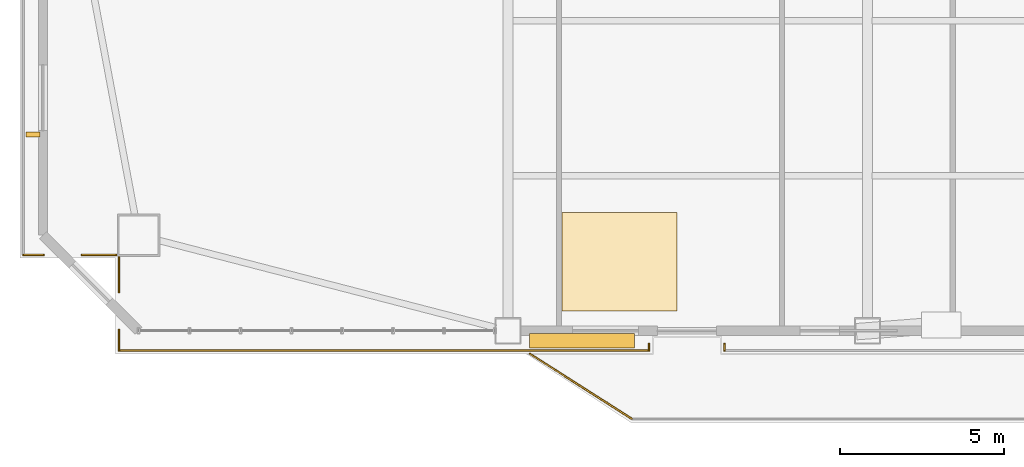
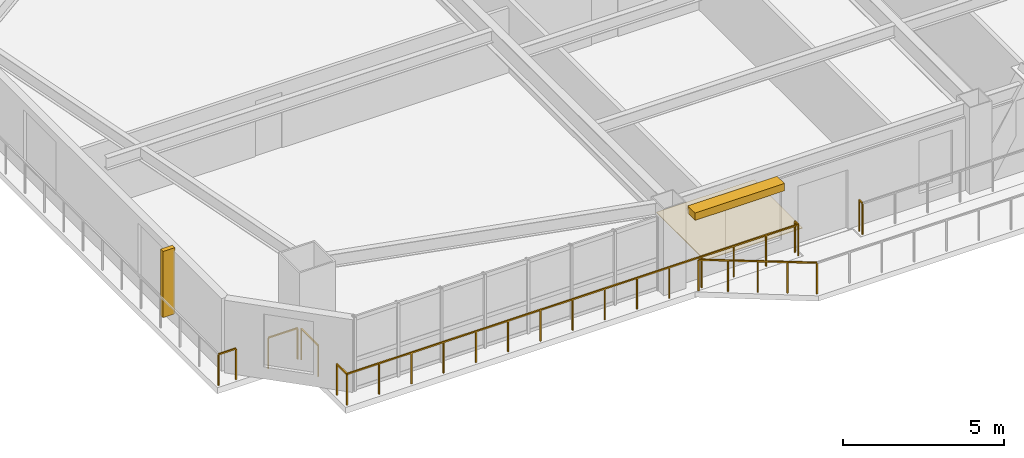
# One storey, part 12 of 16: 8 railings, 2 shading devices, 1 covering.
"""IFC4 building model written with IfcOpenShell, lengths in metres."""

import ifcopenshell
import ifcopenshell.guid

model = None  # the IFC model being written
_history = None  # IfcOwnerHistory: only IFC2X3 demands one
_inside = {}  # id of a spatial element -> (the spatial element, [elements in it])
_under = {}  # id of a project, library or spatial element -> (it, [spatial elements below it])
_declared = {}  # id of a project -> (the project, [libraries it declares])
_typed = {}  # id of a type object -> (the type object, [elements of that type])
_made_of = {}  # id of a material, layer set ... -> (it, [elements and type objects made of it])


def new_model(schema):
    """Start an empty IFC model of exactly this schema.

    Asked for "IFC4X3", IfcOpenShell would pick the latest addendum, in which some entities
    have other attributes; the version numbers below select the first issue.
    IFC2X3 requires an IfcOwnerHistory on every rooted entity: one is made here for all.
    """
    global model, _history
    if schema == "IFC4X3":
        model = ifcopenshell.file(schema_version=(4, 3, 0, 0))
    else:
        model = ifcopenshell.file(schema=schema)
    _inside.clear()
    _under.clear()
    _declared.clear()
    _typed.clear()
    _made_of.clear()
    _history = None
    if model.schema == "IFC2X3":
        org = make("IfcOrganization", Name="unknown")
        user = make(
            "IfcPersonAndOrganization",
            ThePerson=make("IfcPerson", FamilyName="unknown"),
            TheOrganization=org,
        )
        app = make(
            "IfcApplication",
            ApplicationDeveloper=org,
            Version="unknown",
            ApplicationFullName="unknown",
            ApplicationIdentifier="unknown",
        )
        _history = make(
            "IfcOwnerHistory",
            OwningUser=user,
            OwningApplication=app,
            ChangeAction="ADDED",
            CreationDate=0,
        )
    return model


def make(cls, **values):
    """One entity of the class cls with the attributes given. An attribute that is None is left unset."""
    return model.create_entity(
        cls, **{name: value for name, value in values.items() if value is not None}
    )


def rooted(cls, **values):
    """An entity with a GlobalId (a new one), such as an element, a storey or a relation."""
    return make(cls, GlobalId=ifcopenshell.guid.new(), OwnerHistory=_history, **values)


def si_unit(unit_type, name, prefix=None):
    """IfcSIUnit, for example si_unit("LENGTHUNIT", "METRE", prefix="MILLI")."""
    return make("IfcSIUnit", UnitType=unit_type, Prefix=prefix, Name=name)


def assignment(units):
    """IfcUnitAssignment: the units of a project."""
    return None if units is None else make("IfcUnitAssignment", Units=units)


def point(xyz):
    """IfcCartesianPoint."""
    return None if xyz is None else make("IfcCartesianPoint", Coordinates=xyz)


def direction(xyz):
    """IfcDirection."""
    return None if xyz is None else make("IfcDirection", DirectionRatios=xyz)


def frame(location, z_axis=None, x_axis=None):
    """IfcAxis2Placement3D, a coordinate frame: its origin and axes. An axis left out is left unset."""
    return make(
        "IfcAxis2Placement3D",
        Location=point(location),
        Axis=direction(z_axis),
        RefDirection=direction(x_axis),
    )


def frame_2d(location, x_axis=None):
    """IfcAxis2Placement2D, a coordinate frame in the plane: its origin and x axis."""
    return make(
        "IfcAxis2Placement2D", Location=point(location), RefDirection=direction(x_axis)
    )


def origin():
    """The frame at (0, 0, 0) with its axes left unset."""
    return frame((0.0, 0.0, 0.0))


def origin_2d():
    """The frame at (0, 0) in the plane with its x axis left unset."""
    return frame_2d((0.0, 0.0))


def place(relative_to, where):
    """IfcLocalPlacement: puts the frame where relative to a parent placement (None: the world)."""
    return make(
        "IfcLocalPlacement", PlacementRelTo=relative_to, RelativePlacement=where
    )


def context(
    kind, dimensions, precision=None, world=None, true_north=None, identifier=None
):
    """IfcGeometricRepresentationContext, for example the 3D "Model" context."""
    return make(
        "IfcGeometricRepresentationContext",
        ContextIdentifier=identifier,
        ContextType=kind,
        CoordinateSpaceDimension=dimensions,
        Precision=precision,
        WorldCoordinateSystem=world,
        TrueNorth=true_north,
    )


def subcontext(parent, identifier, kind, view, scale=None):
    """IfcGeometricRepresentationSubContext, for example "Body" below "Model"."""
    return make(
        "IfcGeometricRepresentationSubContext",
        ContextIdentifier=identifier,
        ContextType=kind,
        ParentContext=parent,
        TargetScale=scale,
        TargetView=view,
    )


def project(units=None, contexts=None):
    """IfcProject with its units and contexts."""
    return rooted(
        "IfcProject",
        Name="project",
        RepresentationContexts=contexts,
        UnitsInContext=assignment(units),
    )


def spatial(cls, under=None, at=None, **own):
    """A site, building, storey or space (cls), placed at a placement, below another one or the project."""
    s = rooted(cls, ObjectPlacement=at, **own)
    if under is not None:
        _under.setdefault(under.id(), (under, []))[1].append(s)
    return s


def polyline(points):
    """IfcPolyline through the points."""
    return make("IfcPolyline", Points=[point(p) for p in points])


def profile(cls, at=None, kind="AREA", **sizes):
    """A parametric profile (cls). Its sizes go by their IFC names, for example OverallWidth=200.0."""
    return make(cls, ProfileType=kind, Position=at, **sizes)


def rectangle(**sizes):
    """IfcRectangleProfileDef."""
    return profile("IfcRectangleProfileDef", **sizes)


def outline(outer, holes=None, kind="AREA"):
    """IfcArbitraryClosedProfileDef: a profile drawn as a closed curve; with holes, ...WithVoids."""
    if holes is None:
        return make("IfcArbitraryClosedProfileDef", ProfileType=kind, OuterCurve=outer)
    return make(
        "IfcArbitraryProfileDefWithVoids",
        ProfileType=kind,
        OuterCurve=outer,
        InnerCurves=holes,
    )


def extrude(swept, where, along, depth):
    """IfcExtrudedAreaSolid: the profile swept, set in the frame where, extruded along a direction by depth."""
    return make(
        "IfcExtrudedAreaSolid",
        SweptArea=swept,
        Position=where,
        ExtrudedDirection=direction(along),
        Depth=depth,
    )


def shape(context_of_items, identifier, shape_type, items):
    """IfcShapeRepresentation: the items that make up one representation, for example the "Body"."""
    return make(
        "IfcShapeRepresentation",
        ContextOfItems=context_of_items,
        RepresentationIdentifier=identifier,
        RepresentationType=shape_type,
        Items=items,
    )


def source(mapping_origin, context_of_items, identifier, shape_type, items):
    """IfcRepresentationMap: a shape defined once, which mapped items show again and again."""
    return make(
        "IfcRepresentationMap",
        MappingOrigin=mapping_origin,
        MappedRepresentation=shape(context_of_items, identifier, shape_type, items),
    )


def transform(
    local_origin,
    x_axis=None,
    y_axis=None,
    z_axis=None,
    scale=None,
    scale2=None,
    scale3=None,
    uniform=True,
):
    """IfcCartesianTransformationOperator3D, or its non-uniform kind. x_axis, y_axis, z_axis: its Axis1, 2, 3."""
    if uniform:
        return make(
            "IfcCartesianTransformationOperator3D",
            Axis1=direction(x_axis),
            Axis2=direction(y_axis),
            LocalOrigin=point(local_origin),
            Scale=scale,
            Axis3=direction(z_axis),
        )
    return make(
        "IfcCartesianTransformationOperator3DnonUniform",
        Axis1=direction(x_axis),
        Axis2=direction(y_axis),
        LocalOrigin=point(local_origin),
        Scale=scale,
        Axis3=direction(z_axis),
        Scale2=scale2,
        Scale3=scale3,
    )


def mapped(mapping_source, mapping_target):
    """IfcMappedItem: shows the shape of a source again, moved by a transform."""
    return make(
        "IfcMappedItem", MappingSource=mapping_source, MappingTarget=mapping_target
    )


def material(Name=None, Category=None):
    """IfcMaterial."""
    return make("IfcMaterial", Name=Name, Category=Category)


def layer(
    of_material, thickness, ventilated=None, Name=None, Category=None, Priority=None
):
    """IfcMaterialLayer: one layer of a wall or slab, of a material (None: an air gap)."""
    return make(
        "IfcMaterialLayer",
        Material=of_material,
        LayerThickness=thickness,
        IsVentilated=ventilated,
        Name=Name,
        Category=Category,
        Priority=Priority,
    )


def layer_set(layers, Name=None):
    """IfcMaterialLayerSet."""
    return make("IfcMaterialLayerSet", MaterialLayers=layers, LayerSetName=Name)


def made_of(thing, what):
    """Note that an element or type object is made of a material, layer set ...; save() writes the relation."""
    if what is not None:
        _made_of.setdefault(what.id(), (what, []))[1].append(thing)
    return thing


def type_object(cls, material=None, **own):
    """A type object (cls), such as IfcWallType, which elements share."""
    return made_of(rooted(cls, **own), material)


def element(
    cls,
    number,
    at=None,
    inside=None,
    cuts=None,
    type_object=None,
    material=None,
    context=None,
    identifier="Body",
    shape_type=None,
    held_by="IfcProductDefinitionShape",
    body=None,
    shapes=None,
    **own,
):
    """One element of the class cls, such as IfcWall. Its Tag is "e" and its number.

    at: its placement. inside: the storey or other place that contains it. cuts: it is an
    opening in that element (IfcRelVoidsElement). A single representation is given by context,
    identifier, shape_type and body (its items); several are given by shapes. held_by: the class
    of the entity that holds the representations. save() writes the other relations.
    """
    e = rooted(cls, Tag="e%d" % number, ObjectPlacement=at, **own)
    if body is not None:
        shapes = [shape(context, identifier, shape_type, body)]
    if shapes is not None:
        e.Representation = make(held_by, Representations=shapes)
    if inside is not None:
        _inside.setdefault(inside.id(), (inside, []))[1].append(e)
    if cuts is not None:
        rooted(
            "IfcRelVoidsElement", RelatingBuildingElement=cuts, RelatedOpeningElement=e
        )
    if type_object is not None:
        _typed.setdefault(type_object.id(), (type_object, []))[1].append(e)
    return made_of(e, material)


def aggregate(whole, parts):
    """IfcRelAggregates: a whole, such as a stair, and the parts it consists of."""
    return rooted("IfcRelAggregates", RelatingObject=whole, RelatedObjects=parts)


def save(model, path):
    """Write the relations noted so far, then the file.

    IfcRelAggregates (storeys below a building ...), IfcRelContainedInSpatialStructure (elements
    in a storey), IfcRelDefinesByType, IfcRelAssociatesMaterial and IfcRelDeclares: one each for
    every whole, place, type object, material and project.
    """
    for whole, parts in _under.values():
        aggregate(whole, parts)
    for where, things in _inside.values():
        rooted(
            "IfcRelContainedInSpatialStructure",
            RelatedElements=things,
            RelatingStructure=where,
        )
    for kind, things in _typed.values():
        rooted("IfcRelDefinesByType", RelatedObjects=things, RelatingType=kind)
    for what, things in _made_of.values():
        rooted("IfcRelAssociatesMaterial", RelatedObjects=things, RelatingMaterial=what)
    for by, libraries in _declared.values():
        rooted("IfcRelDeclares", RelatingContext=by, RelatedDefinitions=libraries)
    model.write(path)


model = new_model("IFC4")

# Units and contexts
model_context = context("Model", 3, precision=1e-05, world=origin(), true_north=direction((0.0, 1.0)))
body_context = subcontext(model_context, "Body", "Model", "MODEL_VIEW")
ifc_project = project(units=[si_unit("LENGTHUNIT", "METRE"), si_unit("AREAUNIT", "SQUARE_METRE"), si_unit("VOLUMEUNIT", "CUBIC_METRE"), si_unit("PLANEANGLEUNIT", "RADIAN"), si_unit("MASSUNIT", "GRAM", prefix="KILO")], contexts=[model_context])

# Site, building, storey
site_placement = place(None, origin())
site = spatial("IfcSite", under=ifc_project, at=site_placement, CompositionType="ELEMENT")
building_placement = place(site_placement, origin())
building = spatial("IfcBuilding", under=site, at=building_placement, Name="Giltprow Tower", CompositionType="ELEMENT")
storey_placement = place(building_placement, frame((0.0, 0.0, 159.699951171875)))
storey = spatial("IfcBuildingStorey", under=building, at=storey_placement, Name="L39", CompositionType="ELEMENT", Elevation=159.699951171875)

# Covering
ifc_material_1 = material(Name="Engineered oak", Category="wood")
ifc_layer = layer(ifc_material_1, 0.02490234375, Name="Engineered oak")
ifc_layer_set = layer_set([ifc_layer], Name="Engineered oak")
covering_type = type_object("IfcCoveringType", Name="COV-FLR-TIMBER", PredefinedType="FLOORING", material=ifc_layer_set)
covering_placement = place(storey_placement, origin())
element("IfcCovering", 1, at=covering_placement, inside=storey, type_object=covering_type, Name="L39 Engineered Oak Guestroom Flooring", PredefinedType="FLOORING", context=body_context, shape_type="SweptSolid", body=[
    extrude(outline(polyline([(21.5, 9.697998046875), (25.0, 9.697998046875), (25.0, 12.697998046875), (21.5, 12.697998046875), (21.5, 9.697998046875)])), origin(), (0.0, 0.0, 1.0), 0.025146484375),
])

# Railings
ifc_material_2 = material(Name="Anodized bronze", Category="metal")
railing_type = type_object("IfcRailingType", Name="RAIL-BALC-GUARD-1200", PredefinedType="BALUSTRADE", material=ifc_material_2)
railing_1_placement = place(storey_placement, frame((20.52001953125, 8.39794921875, 0.0)))
element("IfcRailing", 2, at=railing_1_placement, inside=storey, type_object=railing_type, Name="L39 Waterfront Balcony Balustrade Seg 1", PredefinedType="BALUSTRADE", context=body_context, shape_type="SweptSolid", body=[
    extrude(rectangle(XDim=0.048095703125, YDim=0.048095703125, at=origin_2d()), frame((0.0, 0.0, 1.17578125), z_axis=(0.84277487735, -0.538266203757, 0.0), x_axis=(0.538266203757, 0.84277487735, 0.0)), (0.0, 0.0, 1.0), 3.678466796875),
    extrude(rectangle(XDim=0.0419921875, YDim=0.0419921875, at=origin_2d()), origin(), (0.0, 0.0, 1.0), 1.15185546875),
    extrude(rectangle(XDim=0.0419921875, YDim=0.0419921875, at=origin_2d()), frame((0.77490234375, -0.4951171875, 0.0)), (0.0, 0.0, 1.0), 1.15185546875),
    extrude(rectangle(XDim=0.0419921875, YDim=0.0419921875, at=origin_2d()), frame((1.550048828125, -0.989990234375, 0.0)), (0.0, 0.0, 1.0), 1.15185546875),
    extrude(rectangle(XDim=0.0419921875, YDim=0.0419921875, at=origin_2d()), frame((2.3251953125, -1.48486328125, 0.0)), (0.0, 0.0, 1.0), 1.15185546875),
    extrude(rectangle(XDim=0.0419921875, YDim=0.0419921875, at=origin_2d()), frame((3.10009765625, -1.97998046875, 0.0)), (0.0, 0.0, 1.0), 1.15185546875),
])
railing_2_placement = place(storey_placement, frame((7.9970703125, 8.498046875, 0.0)))
element("IfcRailing", 3, at=railing_2_placement, inside=storey, type_object=railing_type, Name="L39 Corner Apron Edge Balustrade 1", PredefinedType="BALUSTRADE", context=body_context, shape_type="SweptSolid", body=[
    extrude(rectangle(XDim=0.048095703125, YDim=0.048095703125, at=origin_2d()), frame((0.0, 0.0, 1.17578125), z_axis=(0.0, 1.0, 0.0), x_axis=(-1.0, 0.0, 0.0)), (0.0, 0.0, 1.0), 0.619873046875),
    extrude(rectangle(XDim=0.0419921875, YDim=0.0419921875, at=origin_2d()), origin(), (0.0, 0.0, 1.0), 1.15185546875),
    extrude(rectangle(XDim=0.0419921875, YDim=0.0419921875, at=origin_2d()), frame((0.0, 0.619873046875, 0.0)), (0.0, 0.0, 1.0), 1.15185546875),
])
railing_3_placement = place(storey_placement, frame((7.9970703125, 10.278076171875, 0.0)))
element("IfcRailing", 4, at=railing_3_placement, inside=storey, type_object=railing_type, Name="L39 Corner Apron Edge Balustrade 2", PredefinedType="BALUSTRADE", context=body_context, shape_type="SweptSolid", body=[
    extrude(rectangle(XDim=0.048095703125, YDim=0.048095703125, at=origin_2d()), frame((0.0, 0.0, 1.17578125), z_axis=(0.0, 1.0, 0.0), x_axis=(-1.0, 0.0, 0.0)), (0.0, 0.0, 1.0), 1.0478515625),
    extrude(rectangle(XDim=0.0419921875, YDim=0.0419921875, at=origin_2d()), origin(), (0.0, 0.0, 1.0), 1.15185546875),
    extrude(rectangle(XDim=0.0419921875, YDim=0.0419921875, at=origin_2d()), frame((0.0, 1.0478515625, 0.0)), (0.0, 0.0, 1.0), 1.15185546875),
])
railing_4_placement = place(storey_placement, frame((7.912109375, 11.410888671875, 0.0)))
element("IfcRailing", 5, at=railing_4_placement, inside=storey, type_object=railing_type, Name="L39 Corner Apron Edge Balustrade 3", PredefinedType="BALUSTRADE", context=body_context, shape_type="SweptSolid", body=[
    extrude(rectangle(XDim=0.048095703125, YDim=0.048095703125, at=origin_2d()), frame((0.0, 0.0, 1.17578125), z_axis=(-1.0, 0.0, 0.0), x_axis=(0.0, -1.0, 0.0)), (0.0, 0.0, 1.0), 1.048095703125),
    extrude(rectangle(XDim=0.0419921875, YDim=0.0419921875, at=origin_2d()), origin(), (0.0, 0.0, 1.0), 1.15185546875),
    extrude(rectangle(XDim=0.0419921875, YDim=0.0419921875, at=origin_2d()), frame((-1.048095703125, 0.0, 0.0)), (0.0, 0.0, 1.0), 1.15185546875),
])
railing_5_placement = place(storey_placement, frame((5.7041015625, 11.410888671875, 0.0)))
element("IfcRailing", 6, at=railing_5_placement, inside=storey, type_object=railing_type, Name="L39 Corner Apron Edge Balustrade 4", PredefinedType="BALUSTRADE", context=body_context, shape_type="SweptSolid", body=[
    extrude(rectangle(XDim=0.048095703125, YDim=0.048095703125, at=origin_2d()), frame((0.0, 0.0, 1.17578125), z_axis=(-1.0, 0.0, 0.0), x_axis=(0.0, -1.0, 0.0)), (0.0, 0.0, 1.0), 0.6201171875),
    extrude(rectangle(XDim=0.0419921875, YDim=0.0419921875, at=origin_2d()), origin(), (0.0, 0.0, 1.0), 1.15185546875),
    extrude(rectangle(XDim=0.0419921875, YDim=0.0419921875, at=origin_2d()), frame((-0.6201171875, 0.0, 0.0)), (0.0, 0.0, 1.0), 1.15185546875),
])
railing_6_placement = place(storey_placement, frame((26.449951171875, 8.498046875, 0.0)))
element("IfcRailing", 7, at=railing_6_placement, inside=storey, type_object=railing_type, Name="L39 Corner Apron Edge Balustrade 23", PredefinedType="BALUSTRADE", context=body_context, shape_type="SweptSolid", body=[
    extrude(rectangle(XDim=0.048095703125, YDim=0.048095703125, at=origin_2d()), frame((0.0, 0.0, 1.17578125), z_axis=(0.0, 1.0, 0.0), x_axis=(-1.0, 0.0, 0.0)), (0.0, 0.0, 1.0), 0.199951171875),
    extrude(rectangle(XDim=0.0419921875, YDim=0.0419921875, at=origin_2d()), origin(), (0.0, 0.0, 1.0), 1.15185546875),
    extrude(rectangle(XDim=0.0419921875, YDim=0.0419921875, at=origin_2d()), frame((0.0, 0.199951171875, 0.0)), (0.0, 0.0, 1.0), 1.15185546875),
])
railing_7_placement = place(storey_placement, frame((24.14990234375, 8.697998046875, 0.0)))
element("IfcRailing", 8, at=railing_7_placement, inside=storey, type_object=railing_type, Name="L39 Corner Apron Edge Balustrade 24", PredefinedType="BALUSTRADE", context=body_context, shape_type="SweptSolid", body=[
    extrude(rectangle(XDim=0.048095703125, YDim=0.048095703125, at=origin_2d()), frame((0.0, 0.0, 1.17578125), z_axis=(0.0, -1.0, 0.0), x_axis=(1.0, 0.0, 0.0)), (0.0, 0.0, 1.0), 0.199951171875),
    extrude(rectangle(XDim=0.0419921875, YDim=0.0419921875, at=origin_2d()), origin(), (0.0, 0.0, 1.0), 1.15185546875),
    extrude(rectangle(XDim=0.0419921875, YDim=0.0419921875, at=origin_2d()), frame((0.0, -0.199951171875, 0.0)), (0.0, 0.0, 1.0), 1.15185546875),
])
railing_8_placement = place(storey_placement, frame((24.14990234375, 8.498046875, 0.0)))
element("IfcRailing", 9, at=railing_8_placement, inside=storey, type_object=railing_type, Name="L39 Corner Apron Edge Balustrade 25", PredefinedType="BALUSTRADE", context=body_context, shape_type="SweptSolid", body=[
    extrude(rectangle(XDim=0.048095703125, YDim=0.048095703125, at=origin_2d()), frame((0.0, 0.0, 1.17578125), z_axis=(-1.0, 0.0, 0.0), x_axis=(0.0, -1.0, 0.0)), (0.0, 0.0, 1.0), 16.15283203125),
    extrude(rectangle(XDim=0.0419921875, YDim=0.0419921875, at=origin_2d()), origin(), (0.0, 0.0, 1.0), 1.15185546875),
    extrude(rectangle(XDim=0.0419921875, YDim=0.0419921875, at=origin_2d()), frame((-1.15380859375, 0.0, 0.0)), (0.0, 0.0, 1.0), 1.15185546875),
    extrude(rectangle(XDim=0.0419921875, YDim=0.0419921875, at=origin_2d()), frame((-2.3076171875, 0.0, 0.0)), (0.0, 0.0, 1.0), 1.15185546875),
    extrude(rectangle(XDim=0.0419921875, YDim=0.0419921875, at=origin_2d()), frame((-3.46142578125, 0.0, 0.0)), (0.0, 0.0, 1.0), 1.15185546875),
    extrude(rectangle(XDim=0.0419921875, YDim=0.0419921875, at=origin_2d()), frame((-4.614990234375, 0.0, 0.0)), (0.0, 0.0, 1.0), 1.15185546875),
    extrude(rectangle(XDim=0.0419921875, YDim=0.0419921875, at=origin_2d()), frame((-5.768798828125, 0.0, 0.0)), (0.0, 0.0, 1.0), 1.15185546875),
    extrude(rectangle(XDim=0.0419921875, YDim=0.0419921875, at=origin_2d()), frame((-6.922607421875, 0.0, 0.0)), (0.0, 0.0, 1.0), 1.15185546875),
    extrude(rectangle(XDim=0.0419921875, YDim=0.0419921875, at=origin_2d()), frame((-8.076416015625, 0.0, 0.0)), (0.0, 0.0, 1.0), 1.15185546875),
    extrude(rectangle(XDim=0.0419921875, YDim=0.0419921875, at=origin_2d()), frame((-9.230224609375, 0.0, 0.0)), (0.0, 0.0, 1.0), 1.15185546875),
    extrude(rectangle(XDim=0.0419921875, YDim=0.0419921875, at=origin_2d()), frame((-10.384033203125, 0.0, 0.0)), (0.0, 0.0, 1.0), 1.15185546875),
    extrude(rectangle(XDim=0.0419921875, YDim=0.0419921875, at=origin_2d()), frame((-11.537841796875, 0.0, 0.0)), (0.0, 0.0, 1.0), 1.15185546875),
    extrude(rectangle(XDim=0.0419921875, YDim=0.0419921875, at=origin_2d()), frame((-12.69140625, 0.0, 0.0)), (0.0, 0.0, 1.0), 1.15185546875),
    extrude(rectangle(XDim=0.0419921875, YDim=0.0419921875, at=origin_2d()), frame((-13.84521484375, 0.0, 0.0)), (0.0, 0.0, 1.0), 1.15185546875),
    extrude(rectangle(XDim=0.0419921875, YDim=0.0419921875, at=origin_2d()), frame((-14.9990234375, 0.0, 0.0)), (0.0, 0.0, 1.0), 1.15185546875),
    extrude(rectangle(XDim=0.0419921875, YDim=0.0419921875, at=origin_2d()), frame((-16.15283203125, 0.0, 0.0)), (0.0, 0.0, 1.0), 1.15185546875),
])

# Shading devices
shading_device_type_1 = type_object("IfcShadingDeviceType", Name="SHD-FIN-420", PredefinedType="USERDEFINED", material=ifc_material_2)
shared_shape_1 = source(origin(), body_context, "Body", "SweptSolid", [
    extrude(rectangle(XDim=0.419921875, YDim=0.159912109375, at=origin_2d()), origin(), (0.0, 0.0, 1.0), 2.5),
])
shading_device_1_placement = place(storey_placement, frame((5.384033203125, 15.080078125, 0.35009765625), z_axis=(0.0, 0.0, 1.0), x_axis=(1.0, 0.0, 0.0)))
element("IfcShadingDevice", 10, at=shading_device_1_placement, inside=storey, type_object=shading_device_type_1, Name="L39 W Bronze Vertical Fin 1-1", ObjectType="FIN", PredefinedType="USERDEFINED", context=body_context, shape_type="MappedRepresentation", body=[
    mapped(shared_shape_1, transform((0.0, 0.0, 0.0), x_axis=(1.0, 0.0, 0.0), y_axis=(0.0, 1.0, 0.0), z_axis=(0.0, 0.0, 1.0), scale=1.0)),
])
shading_device_type_2 = type_object("IfcShadingDeviceType", Name="SHD-LOUVRE-320", PredefinedType="JALOUSIE", material=ifc_material_2)
shared_shape_2 = source(origin(), body_context, "Body", "SweptSolid", [
    extrude(rectangle(XDim=3.199951171875, YDim=0.449951171875, at=origin_2d()), origin(), (0.0, 0.0, 1.0), 0.280029296875),
])
shading_device_2_placement = place(storey_placement, frame((22.10009765625, 8.798095703125, 2.56005859375), z_axis=(0.0, 0.0, 1.0), x_axis=(1.0, 0.0, 0.0)))
element("IfcShadingDevice", 11, at=shading_device_2_placement, inside=storey, type_object=shading_device_type_2, Name="L39 Bronze Sunshade Louvre S-2", PredefinedType="JALOUSIE", context=body_context, shape_type="MappedRepresentation", body=[
    mapped(shared_shape_2, transform((0.0, 0.0, 0.0), x_axis=(1.0, 0.0, 0.0), y_axis=(0.0, 1.0, 0.0), z_axis=(0.0, 0.0, 1.0), scale=1.0)),
])

save(model, "model.ifc")
